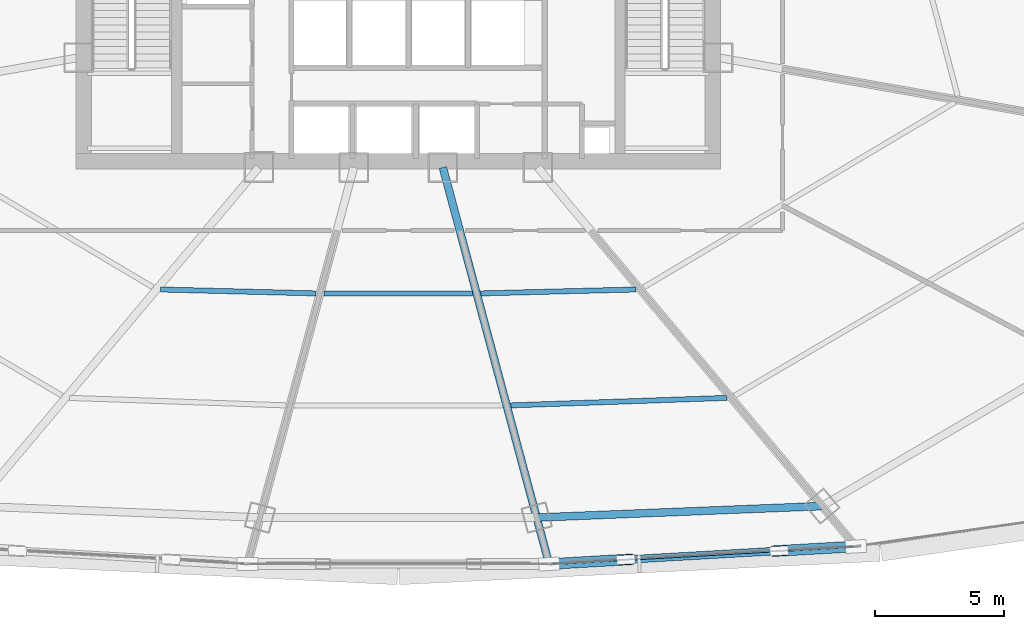
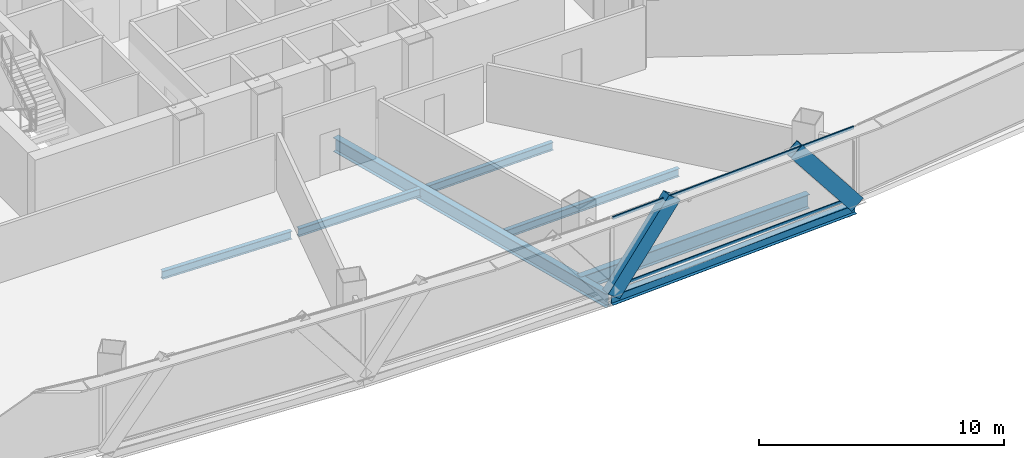
# One storey, part 11 of 39: 7 beams, 4 members, 1 element without a shape of its own.
"""IFC4 building model written with IfcOpenShell, lengths in metres."""

from ifc_helpers import new_model, si_unit, direction, frame, origin, origin_2d, place, context, subcontext, project, spatial, hollow_rectangle, i_section, extrude, source, transform, mapped, material, layer, layer_set, material_profile, profile_set, type_object, element, aggregate, save


model = new_model("IFC4")

# Units and contexts
model_context = context("Model", 3, precision=1e-05, world=origin(), true_north=direction((0.0, 1.0)))
body_context = subcontext(model_context, "Body", "Model", "MODEL_VIEW")
ifc_project = project(units=[si_unit("LENGTHUNIT", "METRE"), si_unit("AREAUNIT", "SQUARE_METRE"), si_unit("VOLUMEUNIT", "CUBIC_METRE"), si_unit("PLANEANGLEUNIT", "RADIAN"), si_unit("MASSUNIT", "GRAM", prefix="KILO"), si_unit("THERMODYNAMICTEMPERATUREUNIT", "KELVIN"), si_unit("POWERUNIT", "WATT")], contexts=[model_context])

# Site, building, storey
site_placement = place(None, origin())
site = spatial("IfcSite", under=ifc_project, at=site_placement, CompositionType="ELEMENT")
building_placement = place(site_placement, origin())
building = spatial("IfcBuilding", under=site, at=building_placement, Name="Yunzhuo Pagoda Commons", CompositionType="ELEMENT")
storey_placement = place(building_placement, frame((0.0, 0.0, 96.3798828125)))
storey = spatial("IfcBuildingStorey", under=building, at=storey_placement, Name="L24", CompositionType="ELEMENT", Elevation=96.3798828125)

# Beams
ifc_material_1 = material(Name="Structural steel Q355B", Category="steel")
ifc_material_profile_1 = material_profile(ifc_material_1, i_section(OverallWidth=0.300048828125, OverallDepth=0.699951171875, WebThickness=0.012939453125, FlangeThickness=0.02392578125, at=origin_2d()), Name="Structural steel Q355B")
ifc_profile_set_1 = profile_set([ifc_material_profile_1], Name="Structural steel Q355B")
beam_type_1 = type_object("IfcBeamType", Name="B-RG1 Beam HN 700x300x13x24", PredefinedType="BEAM", material=ifc_profile_set_1)
shared_shape_1 = source(origin(), body_context, "Body", "SweptSolid", [
    extrude(i_section(OverallWidth=0.300048828125, OverallDepth=0.699951171875, WebThickness=0.012939453125, FlangeThickness=0.02392578125, at=origin_2d()), origin(), (0.0, 0.0, 1.0), 11.077392578125),
])
beam_1_placement = place(storey_placement, frame((53.367431640625, 13.66845703125, -0.609619140625), z_axis=(0.999196975427, 0.040067496776, 0.0), x_axis=(-0.040067496776, 0.999196975427, 0.0)))
element("IfcBeam", 1, at=beam_1_placement, inside=storey, type_object=beam_type_1, Name="L24 column-ring beam 3", PredefinedType="BEAM", context=body_context, shape_type="MappedRepresentation", body=[
    mapped(shared_shape_1, transform((0.0, 0.0, 0.0), scale=1.0)),
])
ifc_material_profile_2 = material_profile(ifc_material_1, i_section(OverallWidth=0.199951171875, OverallDepth=0.39990234375, WebThickness=0.008056640625, FlangeThickness=0.012939453125, at=origin_2d()), Name="Structural steel Q355B")
ifc_profile_set_2 = profile_set([ifc_material_profile_2], Name="Structural steel Q355B")
beam_type_2 = type_object("IfcBeamType", Name="B-JS1 Joist HN 400x200x8x13", PredefinedType="JOIST", material=ifc_profile_set_2)
shared_shape_2 = source(origin(), body_context, "Body", "SweptSolid", [
    extrude(i_section(OverallWidth=0.199951171875, OverallDepth=0.39990234375, WebThickness=0.008056640625, FlangeThickness=0.012939453125, at=origin_2d()), origin(), (0.0, 0.0, 1.0), 6.026611328125),
])
for number, where, z_axis, x_axis, name in (
    (2, (38.778076171875, 22.516357421875, -0.4599609375), (0.99968248871, -0.025197654009, 0.0), (0.025197654009, 0.99968248871, 0.0), "L24 composite ring joist 1.1"),
    (3, (51.197265625, 22.364501953125, -0.4599609375), (0.99968248871, 0.025197654009, 0.0), (-0.025197654009, 0.99968248871, 0.0), "L24 composite ring joist 1.3"),
):
    element("IfcBeam", number, at=place(storey_placement, frame(where, z_axis=z_axis, x_axis=x_axis)), inside=storey, type_object=beam_type_2, Name=name, PredefinedType="JOIST", context=body_context, shape_type="MappedRepresentation", body=[
        mapped(shared_shape_2, transform((0.0, 0.0, 0.0), scale=1.0)),
    ])
shared_shape_3 = source(origin(), body_context, "Body", "SweptSolid", [
    extrude(i_section(OverallWidth=0.199951171875, OverallDepth=0.39990234375, WebThickness=0.008056640625, FlangeThickness=0.012939453125, at=origin_2d()), origin(), (0.0, 0.0, 1.0), 8.392822265625),
])
beam_2_placement = place(storey_placement, frame((52.36181640625, 18.020263671875, -0.4599609375), z_axis=(0.999400667027, 0.034616567521, 0.0), x_axis=(-0.034616567521, 0.999400667027, 0.0)))
element("IfcBeam", 4, at=beam_2_placement, inside=storey, type_object=beam_type_2, Name="L24 composite ring joist 2.3", PredefinedType="JOIST", context=body_context, shape_type="MappedRepresentation", body=[
    mapped(shared_shape_3, transform((0.0, 0.0, 0.0), scale=1.0)),
])
shared_shape_4 = source(origin(), body_context, "Body", "SweptSolid", [
    extrude(i_section(OverallWidth=0.199951171875, OverallDepth=0.39990234375, WebThickness=0.008056640625, FlangeThickness=0.012939453125, at=origin_2d()), origin(), (0.0, 0.0, 1.0), 5.7587890625),
])
beam_3_placement = place(storey_placement, frame((45.120849609375, 22.360595703125, -0.4599609375), z_axis=(1.0, 0.0, 0.0), x_axis=(0.0, 1.0, 0.0)))
element("IfcBeam", 5, at=beam_3_placement, inside=storey, type_object=beam_type_2, Name="L24 composite ring joist 1.2", PredefinedType="JOIST", context=body_context, shape_type="MappedRepresentation", body=[
    mapped(shared_shape_4, transform((0.0, 0.0, 0.0), scale=1.0)),
])
shared_shape_5 = source(origin(), body_context, "Body", "SweptSolid", [
    extrude(i_section(OverallWidth=0.300048828125, OverallDepth=0.699951171875, WebThickness=0.012939453125, FlangeThickness=0.02392578125, at=origin_2d()), origin(), (0.0, 0.0, 1.0), 15.7734375),
])
beam_4_placement = place(storey_placement, frame((53.810791015625, 12.013916015625, -0.609619140625), z_axis=(-0.258805972264, 0.965929329051, 0.0), x_axis=(-0.965929329051, -0.258805972264, 0.0)))
element("IfcBeam", 6, at=beam_4_placement, inside=storey, type_object=beam_type_1, Name="L24 radial floor girder F1C3", PredefinedType="BEAM", context=body_context, shape_type="MappedRepresentation", body=[
    mapped(shared_shape_5, transform((0.0, 0.0, 0.0), scale=1.0)),
])
ifc_material_profile_3 = material_profile(ifc_material_1, i_section(OverallWidth=0.300048828125, OverallDepth=0.488037109375, WebThickness=0.010986328125, FlangeThickness=0.01806640625, at=origin_2d()), Name="Structural steel Q355B")
ifc_profile_set_3 = profile_set([ifc_material_profile_3], Name="Structural steel Q355B")
beam_type_3 = type_object("IfcBeamType", Name="B-SP1 Beam HM 488x300x11x18", PredefinedType="BEAM", material=ifc_profile_set_3)
shared_shape_6 = source(origin(), body_context, "Body", "SweptSolid", [
    extrude(i_section(OverallWidth=0.300048828125, OverallDepth=0.488037109375, WebThickness=0.010986328125, FlangeThickness=0.01806640625, at=origin_2d()), origin(), (0.0, 0.0, 1.0), 11.918212890625),
])
beam_5_placement = place(storey_placement, frame((53.850830078125, 11.8642578125, -0.50390625), z_axis=(0.998357270024, 0.057295387165, 0.0), x_axis=(-0.057295387165, 0.998357270024, 0.0)))
element("IfcBeam", 7, at=beam_5_placement, inside=storey, type_object=beam_type_3, Name="L24 facade edge spandrel beam F1.3", PredefinedType="BEAM", context=body_context, shape_type="MappedRepresentation", body=[
    mapped(shared_shape_6, transform((0.0, 0.0, 0.0), scale=1.0)),
])

# Members
ifc_material_2 = material(Name="Structural steel Q420B", Category="steel")
ifc_material_profile_4 = material_profile(ifc_material_2, hollow_rectangle(XDim=0.419921875, YDim=0.719970703125, WallThickness=0.028076171875, at=origin_2d()), Name="Structural steel Q420B")
ifc_profile_set_4 = profile_set([ifc_material_profile_4], Name="Structural steel Q420B")
member_type_1 = type_object("IfcMemberType", Name="M-DL1 Brace BOX 720x420x28", PredefinedType="BRACE", material=ifc_profile_set_4)
shared_shape_7 = source(origin(), body_context, "Body", "SweptSolid", [
    extrude(hollow_rectangle(XDim=0.419921875, YDim=0.719970703125, WallThickness=0.028076171875, at=origin_2d()), origin(), (0.0, 0.0, 1.0), 4.828857421875),
])
member_1_placement = place(storey_placement, frame((53.850830078125, 11.8642578125, -0.259765625), z_axis=(0.616063669983, 0.035340870359, 0.786903156309), x_axis=(-0.057271456016, 0.998358643137, 0.0)))
element("IfcMember", 8, at=member_1_placement, inside=storey, type_object=member_type_1, Name="L24 facade diamond brace F1.3L", PredefinedType="BRACE", context=body_context, shape_type="MappedRepresentation", body=[
    mapped(shared_shape_7, transform((0.0, 0.0, 0.0), scale=1.0)),
])
shared_shape_8 = source(origin(), body_context, "Body", "SweptSolid", [
    extrude(hollow_rectangle(XDim=0.419921875, YDim=0.719970703125, WallThickness=0.028076171875, at=origin_2d()), origin(), (0.0, 0.0, 1.0), 4.82861328125),
])
member_2_placement = place(storey_placement, frame((65.74951171875, 12.547119140625, -0.259765625), z_axis=(-0.616032298285, -0.035341971151, 0.786927666654), x_axis=(0.057276141142, -0.998358374361, 0.0)))
element("IfcMember", 9, at=member_2_placement, inside=storey, type_object=member_type_1, Name="L24 facade diamond brace F1.3R", PredefinedType="BRACE", context=body_context, shape_type="MappedRepresentation", body=[
    mapped(shared_shape_8, transform((0.0, 0.0, 0.0), scale=1.0)),
])

# Curtain wall, members
ifc_material_3 = material(Name="Anodized aluminium 6063-T6", Category="aluminium")
ifc_layer = layer(ifc_material_3, 0.1650390625)
ifc_layer_set = layer_set([ifc_layer], Name="Anodized aluminium 6063-T6")
curtain_wall_type = type_object("IfcCurtainWallType", Name="CW-LOW Low-Zone Ribbon Curtain Wall", PredefinedType="NOTDEFINED", material=ifc_layer_set)
curtain_wall_placement = place(storey_placement, origin())
curtain_wall = element("IfcCurtainWall", 10, at=curtain_wall_placement, inside=storey, type_object=curtain_wall_type, Name="L24 curtain wall CW-L24-F1B4", PredefinedType="NOTDEFINED")
ifc_material_profile_5 = material_profile(ifc_material_3, hollow_rectangle(XDim=0.06005859375, YDim=0.139892578125, WallThickness=0.00341796875, at=origin_2d()), Name="Anodized aluminium 6063-T6")
ifc_profile_set_5 = profile_set([ifc_material_profile_5], Name="Anodized aluminium 6063-T6")
member_type_2 = type_object("IfcMemberType", Name="CW-LOW-T Transom RHS 140x60x3.5", PredefinedType="USERDEFINED", material=ifc_profile_set_5)
shared_shape_9 = source(origin(), body_context, "Body", "SweptSolid", [
    extrude(hollow_rectangle(XDim=0.06005859375, YDim=0.139892578125, WallThickness=0.00341796875, at=origin_2d()), origin(), (0.0, 0.0, 1.0), 11.787841796875),
])
member_3_placement = place(storey_placement, frame((53.916015625, 11.867919921875, 0.030029296875), z_axis=(0.998356572529, 0.057307539544, 0.0), x_axis=(-0.057307539544, 0.998356572529, 0.0)))
member_3 = element("IfcMember", 11, at=member_3_placement, type_object=member_type_2, Name="CW transom 1.1", ObjectType="TRANSOM", PredefinedType="USERDEFINED", context=body_context, shape_type="MappedRepresentation", body=[
    mapped(shared_shape_9, transform((0.0, 0.0, 0.0), scale=1.0)),
])
member_4_placement = place(storey_placement, frame((53.916015625, 11.867919921875, 3.510009765625), z_axis=(0.998356572529, 0.057307539544, 0.0), x_axis=(-0.057307539544, 0.998356572529, 0.0)))
member_4 = element("IfcMember", 12, at=member_4_placement, type_object=member_type_2, Name="CW transom 1.2", ObjectType="TRANSOM", PredefinedType="USERDEFINED", context=body_context, shape_type="MappedRepresentation", body=[
    mapped(shared_shape_9, transform((0.0, 0.0, 0.0), scale=1.0)),
])
aggregate(curtain_wall, [member_3, member_4])

save(model, "model.ifc")
